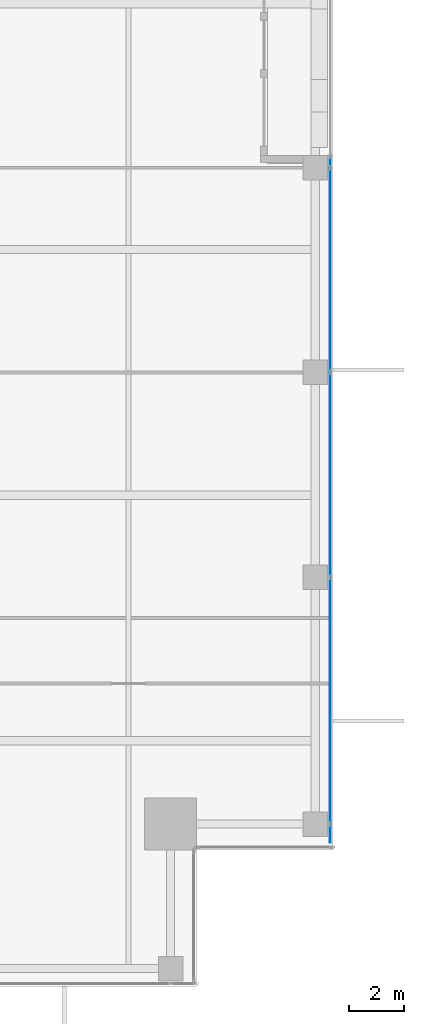
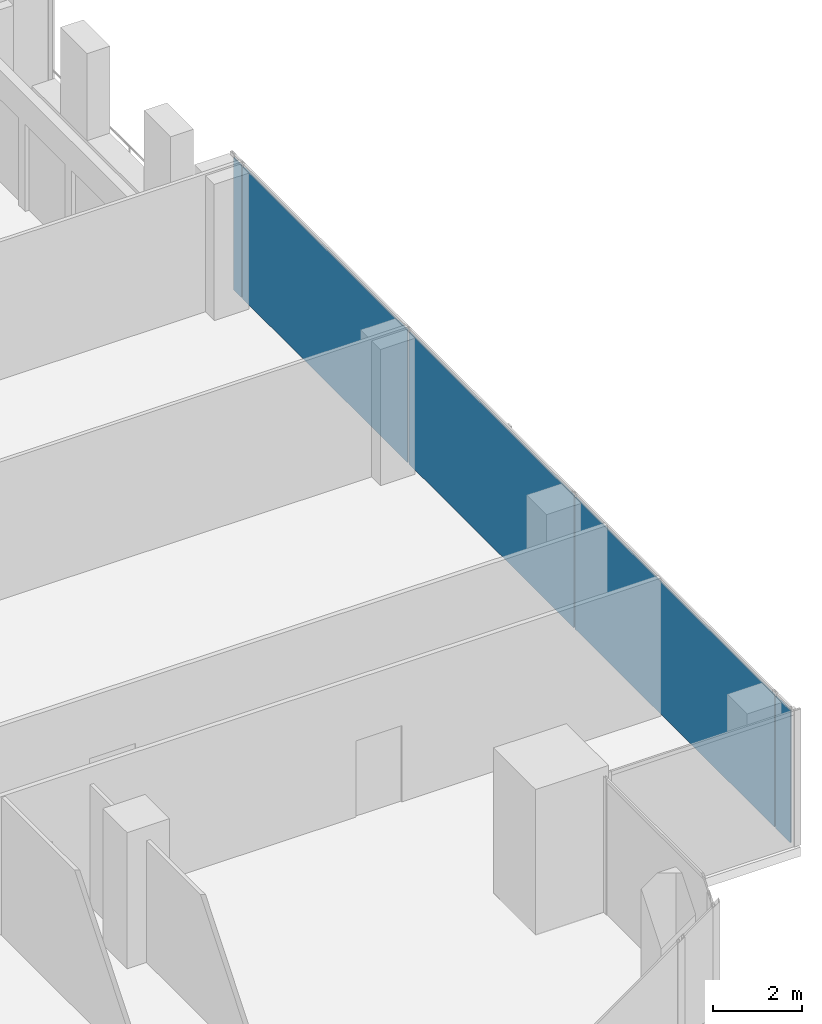
# One storey, part 26 of 34: 5 plates, 1 element without a shape of its own.
"""IFC4 building model written with IfcOpenShell, lengths in metres."""

from ifc_helpers import new_model, si_unit, direction, frame, origin, origin_2d, place, context, subcontext, project, spatial, rectangle, extrude, source, transform, mapped, material, layer, layer_set, type_object, element, aggregate, save


model = new_model("IFC4")

# Units and contexts
model_context = context("Model", 3, precision=1e-05, world=origin(), true_north=direction((0.0, 1.0)))
body_context = subcontext(model_context, "Body", "Model", "MODEL_VIEW")
ifc_project = project(units=[si_unit("LENGTHUNIT", "METRE"), si_unit("AREAUNIT", "SQUARE_METRE"), si_unit("VOLUMEUNIT", "CUBIC_METRE"), si_unit("PLANEANGLEUNIT", "RADIAN"), si_unit("MASSUNIT", "GRAM", prefix="KILO")], contexts=[model_context])

# Site, building, storey
site_placement = place(None, origin())
site = spatial("IfcSite", under=ifc_project, at=site_placement, CompositionType="ELEMENT")
building_placement = place(site_placement, origin())
building = spatial("IfcBuilding", under=site, at=building_placement, Name="Khomas Fold Tower", CompositionType="ELEMENT")
storey_placement = place(building_placement, frame((0.0, 0.0, 254.199951171875)))
storey = spatial("IfcBuildingStorey", under=building, at=storey_placement, Name="L57", CompositionType="ELEMENT", Elevation=254.199951171875)

# Curtain wall, plates
ifc_material_1 = material(Name="Aluminium framed double glazing", Category="aluminium")
curtain_wall_type = type_object("IfcCurtainWallType", Name="SK-Unitised clear-glass wall, office floors CW2", PredefinedType="NOTDEFINED", material=ifc_material_1)
curtain_wall_placement = place(storey_placement, origin())
curtain_wall = element("IfcCurtainWall", 1, at=curtain_wall_placement, inside=storey, type_object=curtain_wall_type, Name="CW2 run L57 03-0", PredefinedType="NOTDEFINED")
ifc_material_2 = material(Name="Clear double glazed unit")
ifc_layer = layer(ifc_material_2, 0.030029296875)
ifc_layer_set = layer_set([ifc_layer], Name="Clear double glazed unit")
plate_type = type_object("IfcPlateType", Name="SK-Unitised clear-glass wall, office floors glass panel CW2-P", PredefinedType="CURTAIN_PANEL", material=ifc_layer_set)
shared_shape_1 = source(origin(), body_context, "Body", "SweptSolid", [
    extrude(rectangle(XDim=0.659912109375, YDim=0.030029296875, at=origin_2d()), origin(), (0.0, 0.0, 1.0), 3.639892578125),
])
plate_1_placement = place(storey_placement, frame((49.39990234375, 10.090087890625, 0.0), z_axis=(0.0, 0.0, 1.0), x_axis=(0.0, 1.0, 0.0)))
plate_1 = element("IfcPlate", 2, at=plate_1_placement, type_object=plate_type, Name="CW2 glass panel 1", PredefinedType="CURTAIN_PANEL", context=body_context, shape_type="MappedRepresentation", body=[
    mapped(shared_shape_1, transform((0.0, 0.0, 0.0))),
])
shared_shape_2 = source(origin(), body_context, "Body", "SweptSolid", [
    extrude(rectangle(XDim=7.43994140625, YDim=0.030029296875, at=origin_2d()), origin(), (0.0, 0.0, 1.0), 3.639892578125),
])
plate_2_placement = place(storey_placement, frame((49.39990234375, 23.25, 0.0), z_axis=(0.0, 0.0, 1.0), x_axis=(0.0, 1.0, 0.0)))
plate_2 = element("IfcPlate", 3, at=plate_2_placement, type_object=plate_type, Name="CW2 glass panel 3", PredefinedType="CURTAIN_PANEL", context=body_context, shape_type="MappedRepresentation", body=[
    mapped(shared_shape_2, transform((0.0, 0.0, 0.0))),
])
plate_3_placement = place(storey_placement, frame((49.39990234375, 30.75, 0.0), z_axis=(0.0, 0.0, 1.0), x_axis=(0.0, 1.0, 0.0)))
plate_3 = element("IfcPlate", 4, at=plate_3_placement, type_object=plate_type, Name="CW2 glass panel 4", PredefinedType="CURTAIN_PANEL", context=body_context, shape_type="MappedRepresentation", body=[
    mapped(shared_shape_2, transform((0.0, 0.0, 0.0))),
])
shared_shape_3 = source(origin(), body_context, "Body", "SweptSolid", [
    extrude(rectangle(XDim=8.989990234375, YDim=0.030029296875, at=origin_2d()), origin(), (0.0, 0.0, 1.0), 3.639892578125),
])
plate_4_placement = place(storey_placement, frame((49.39990234375, 14.97509765625, 0.0), z_axis=(0.0, 0.0, 1.0), x_axis=(0.0, 1.0, 0.0)))
plate_4 = element("IfcPlate", 5, at=plate_4_placement, type_object=plate_type, Name="CW2 glass panel 2", PredefinedType="CURTAIN_PANEL", context=body_context, shape_type="MappedRepresentation", body=[
    mapped(shared_shape_3, transform((0.0, 0.0, 0.0))),
])
shared_shape_4 = source(origin(), body_context, "Body", "SweptSolid", [
    extrude(rectangle(XDim=0.360107421875, YDim=0.030029296875, at=origin_2d()), origin(), (0.0, 0.0, 1.0), 3.639892578125),
])
plate_5_placement = place(storey_placement, frame((49.39990234375, 34.7099609375, 0.0), z_axis=(0.0, 0.0, 1.0), x_axis=(0.0, 1.0, 0.0)))
plate_5 = element("IfcPlate", 6, at=plate_5_placement, type_object=plate_type, Name="CW2 glass panel 5", PredefinedType="CURTAIN_PANEL", context=body_context, shape_type="MappedRepresentation", body=[
    mapped(shared_shape_4, transform((0.0, 0.0, 0.0))),
])
aggregate(curtain_wall, [plate_1, plate_4, plate_2, plate_3, plate_5])

save(model, "model.ifc")
